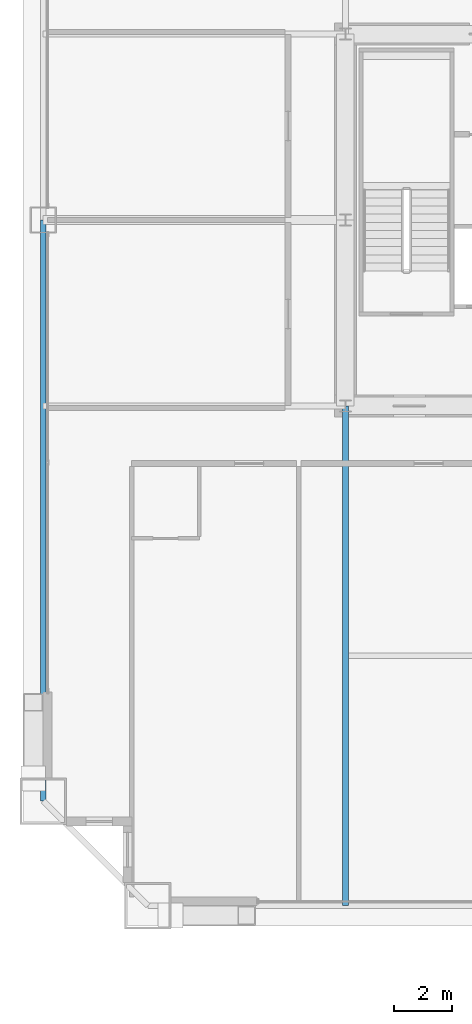
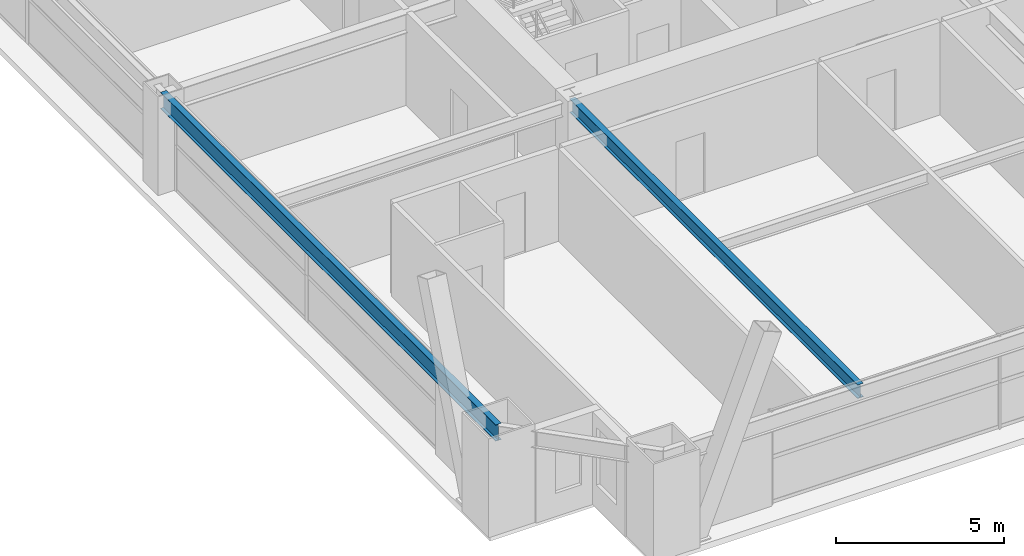
# One storey, part 8 of 41: 2 beams.
"""IFC4 building model written with IfcOpenShell, lengths in metres."""

from ifc_helpers import new_model, si_unit, direction, frame, origin, origin_2d, place, context, subcontext, project, spatial, i_section, extrude, source, transform, mapped, material, material_profile, profile_set, type_object, element, save


model = new_model("IFC4")

# Units and contexts
model_context = context("Model", 3, precision=1e-05, world=origin(), true_north=direction((0.0, 1.0)))
body_context = subcontext(model_context, "Body", "Model", "MODEL_VIEW")
ifc_project = project(units=[si_unit("LENGTHUNIT", "METRE"), si_unit("AREAUNIT", "SQUARE_METRE"), si_unit("VOLUMEUNIT", "CUBIC_METRE"), si_unit("PLANEANGLEUNIT", "RADIAN"), si_unit("MASSUNIT", "GRAM", prefix="KILO"), si_unit("THERMODYNAMICTEMPERATUREUNIT", "KELVIN"), si_unit("POWERUNIT", "WATT")], contexts=[model_context])

# Site, building, storey
site_placement = place(None, origin())
site = spatial("IfcSite", under=ifc_project, at=site_placement, CompositionType="ELEMENT")
building_placement = place(site_placement, origin())
building = spatial("IfcBuilding", under=site, at=building_placement, Name="Yuzanri Waterfront Tower", CompositionType="ELEMENT")
storey_placement = place(building_placement, frame((0.0, 0.0, 152.39990234375)))
storey = spatial("IfcBuildingStorey", under=building, at=storey_placement, Name="L40", CompositionType="ELEMENT", Elevation=152.39990234375)

# Beams
ifc_material_1 = material(Name="Steel Q355B", Category="steel")
ifc_material_profile_1 = material_profile(ifc_material_1, i_section(OverallWidth=0.199951171875, OverallDepth=0.60009765625, WebThickness=0.010986328125, FlangeThickness=0.01708984375, at=origin_2d()), Name="HN 600x200x11x17")
ifc_profile_set_1 = profile_set([ifc_material_profile_1], Name="Steel Q355B")
beam_type_1 = type_object("IfcBeamType", Name="Perimeter Spandrel Q355B HN 600x200", PredefinedType="SPANDREL", material=ifc_profile_set_1)
shared_shape_1 = source(origin(), body_context, "Body", "SweptSolid", [
    extrude(i_section(OverallWidth=0.199951171875, OverallDepth=0.60009765625, WebThickness=0.010986328125, FlangeThickness=0.01708984375, at=origin_2d()), origin(), (0.0, 0.0, 1.0), 20.0),
])
beam_1_placement = place(storey_placement, frame((13.39990234375, 25.800048828125, 3.080078125), z_axis=(0.0, -1.0, 0.0), x_axis=(1.0, 0.0, 0.0)))
element("IfcBeam", 1, at=beam_1_placement, inside=storey, type_object=beam_type_1, Name="L40 Perimeter Spandrel W2-W1", PredefinedType="SPANDREL", context=body_context, shape_type="MappedRepresentation", body=[
    mapped(shared_shape_1, transform((0.0, 0.0, 0.0), scale=1.0)),
])
ifc_material_2 = material(Name="Steel Q355B", Category="steel")
ifc_material_profile_2 = material_profile(ifc_material_2, i_section(OverallWidth=0.199951171875, OverallDepth=0.5, WebThickness=0.010009765625, FlangeThickness=0.01611328125, at=origin_2d()), Name="HN 500x200x10x16")
ifc_profile_set_2 = profile_set([ifc_material_profile_2], Name="Steel Q355B")
beam_type_2 = type_object("IfcBeamType", Name="Secondary Floor Beam Q355B HN 500x200", PredefinedType="BEAM", material=ifc_profile_set_2)
shared_shape_2 = source(origin(), body_context, "Body", "SweptSolid", [
    extrude(i_section(OverallWidth=0.199951171875, OverallDepth=0.5, WebThickness=0.010009765625, FlangeThickness=0.01611328125, at=origin_2d()), origin(), (0.0, 0.0, 1.0), 17.199951171875),
])
beam_2_placement = place(storey_placement, frame((23.800048828125, 19.39990234375, 3.130126953125), z_axis=(0.0, -1.0, 0.0), x_axis=(1.0, 0.0, 0.0)))
element("IfcBeam", 2, at=beam_2_placement, inside=storey, type_object=beam_type_2, Name="L40 South-West Core Line Beam", PredefinedType="BEAM", context=body_context, shape_type="MappedRepresentation", body=[
    mapped(shared_shape_2, transform((0.0, 0.0, 0.0), scale=1.0)),
])

save(model, "model.ifc")
